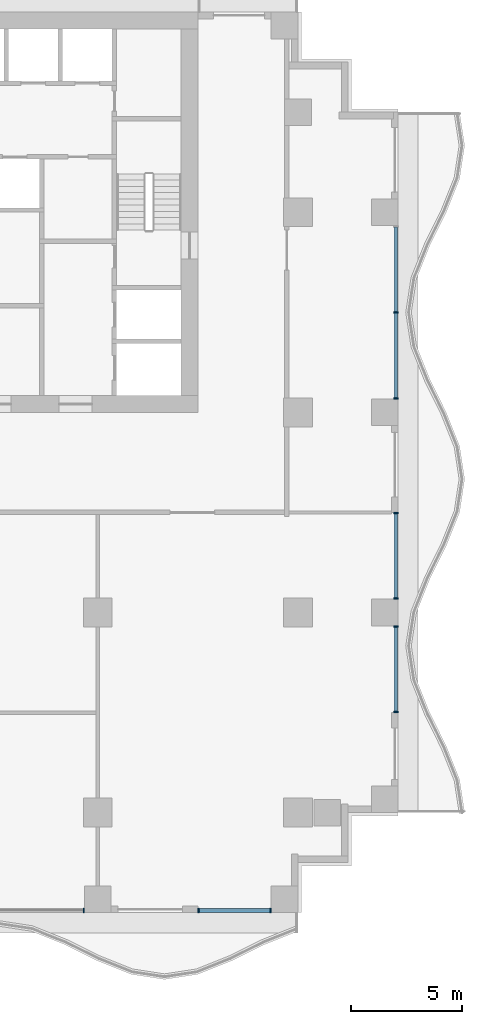
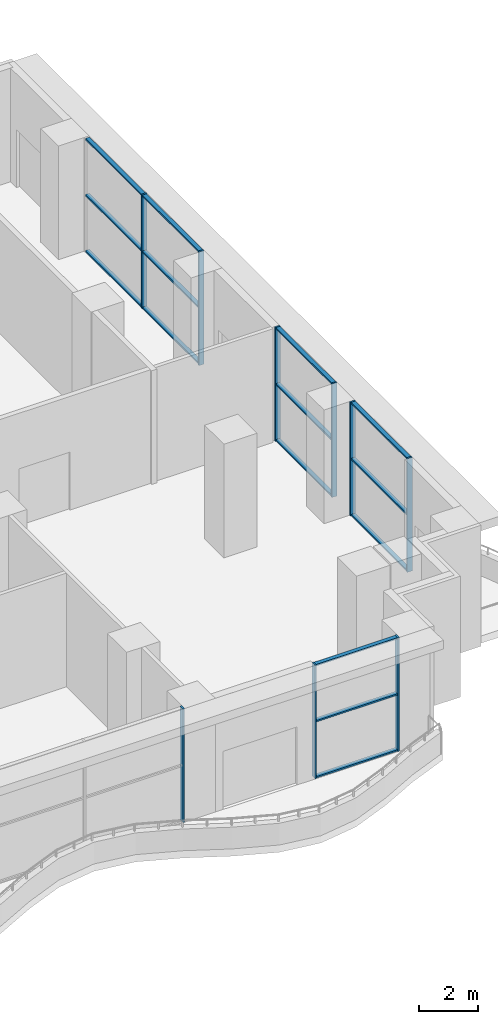
# One storey, part 4 of 14: 24 members, 5 elements without a shape of their own.
"""IFC4 building model written with IfcOpenShell, lengths in metres."""

from ifc_helpers import new_model, si_unit, direction, frame, origin, origin_2d, place, context, subcontext, project, spatial, rectangle, extrude, material, material_profile, profile_set, type_object, element, aggregate, save


model = new_model("IFC4")

# Units and contexts
model_context = context("Model", 3, precision=1e-05, world=origin(), true_north=direction((0.0, 1.0)))
body_context = subcontext(model_context, "Body", "Model", "MODEL_VIEW")
ifc_project = project(units=[si_unit("LENGTHUNIT", "METRE"), si_unit("AREAUNIT", "SQUARE_METRE"), si_unit("VOLUMEUNIT", "CUBIC_METRE"), si_unit("PLANEANGLEUNIT", "RADIAN"), si_unit("MASSUNIT", "GRAM", prefix="KILO")], contexts=[model_context])

# Site, building, storey
site_placement = place(None, origin())
site = spatial("IfcSite", under=ifc_project, at=site_placement, CompositionType="ELEMENT")
building_placement = place(site_placement, origin())
building = spatial("IfcBuilding", under=site, at=building_placement, Name="Orbiselva Terraces", CompositionType="ELEMENT")
storey_placement = place(building_placement, frame((0.0, 0.0, 120.0)))
storey = spatial("IfcBuildingStorey", under=building, at=storey_placement, Name="L30", CompositionType="ELEMENT", Elevation=120.0)

# Curtain wall, member
ifc_material_1 = material(Name="Clear low-e glazing in aluminium frame", Category="aluminium")
curtain_wall_type = type_object("IfcCurtainWallType", Name="ENV-CW-SKY", PredefinedType="NOTDEFINED", material=ifc_material_1)
curtain_wall_1_placement = place(storey_placement, origin())
curtain_wall_1 = element("IfcCurtainWall", 1, at=curtain_wall_1_placement, inside=storey, type_object=curtain_wall_type, Name="Curtain wall L30 S", PredefinedType="NOTDEFINED")
ifc_material_2 = material(Name="Anodised aluminium", Category="aluminium")
ifc_material_profile_1 = material_profile(ifc_material_2, rectangle(XDim=0.2, YDim=0.065, at=origin_2d()), Name="AL 65x200")
ifc_profile_set_1 = profile_set([ifc_material_profile_1], Name="Anodised aluminium")
member_type_1 = type_object("IfcMemberType", Name="ENV-CW-SKY-MULLION-65x200", PredefinedType="MULLION", material=ifc_profile_set_1)
member_1_placement = place(storey_placement, frame((8.3675, -17.9, 0.0), z_axis=(0.0, 0.0, 1.0), x_axis=(0.0, 1.0, 0.0)))
member_1 = element("IfcMember", 2, at=member_1_placement, type_object=member_type_1, Name="CW3 mullion 3", PredefinedType="MULLION", context=body_context, shape_type="SweptSolid", body=[
    extrude(rectangle(XDim=0.2, YDim=0.065, at=origin_2d()), origin(), (0.0, 0.0, 1.0), 4.7),
])
aggregate(curtain_wall_1, [member_1])

# Curtain wall, members
curtain_wall_2_placement = place(storey_placement, origin())
curtain_wall_2 = element("IfcCurtainWall", 3, at=curtain_wall_2_placement, inside=storey, type_object=curtain_wall_type, Name="Curtain wall L30 S", PredefinedType="NOTDEFINED")
member_2_placement = place(storey_placement, frame((13.5325, -17.9, 0.0), z_axis=(0.0, 0.0, 1.0), x_axis=(0.0, 1.0, 0.0)))
member_2 = element("IfcMember", 4, at=member_2_placement, type_object=member_type_1, Name="CW3 mullion 1", PredefinedType="MULLION", context=body_context, shape_type="SweptSolid", body=[
    extrude(rectangle(XDim=0.2, YDim=0.065, at=origin_2d()), origin(), (0.0, 0.0, 1.0), 4.7),
])
member_3_placement = place(storey_placement, frame((16.7675, -17.9, 0.0), z_axis=(0.0, 0.0, 1.0), x_axis=(0.0, 1.0, 0.0)))
member_3 = element("IfcMember", 5, at=member_3_placement, type_object=member_type_1, Name="CW3 mullion 2", PredefinedType="MULLION", context=body_context, shape_type="SweptSolid", body=[
    extrude(rectangle(XDim=0.2, YDim=0.065, at=origin_2d()), origin(), (0.0, 0.0, 1.0), 4.7),
])

curtain_wall_3_placement = place(storey_placement, origin())
curtain_wall_3 = element("IfcCurtainWall", 6, at=curtain_wall_3_placement, inside=storey, type_object=curtain_wall_type, Name="Curtain wall L30 E", PredefinedType="NOTDEFINED")
member_4_placement = place(storey_placement, frame((22.4, -8.9675, 0.0), z_axis=(0.0, 0.0, 1.0), x_axis=(-1.0, 0.0, 0.0)))
member_4 = element("IfcMember", 7, at=member_4_placement, type_object=member_type_1, Name="CW3 mullion 1", PredefinedType="MULLION", context=body_context, shape_type="SweptSolid", body=[
    extrude(rectangle(XDim=0.2, YDim=0.065, at=origin_2d()), origin(), (0.0, 0.0, 1.0), 4.7),
])
member_5_placement = place(storey_placement, frame((22.4, -5.1325, 0.0), z_axis=(0.0, 0.0, 1.0), x_axis=(-1.0, 0.0, 0.0)))
member_5 = element("IfcMember", 8, at=member_5_placement, type_object=member_type_1, Name="CW3 mullion 2", PredefinedType="MULLION", context=body_context, shape_type="SweptSolid", body=[
    extrude(rectangle(XDim=0.2, YDim=0.065, at=origin_2d()), origin(), (0.0, 0.0, 1.0), 4.7),
])

curtain_wall_4_placement = place(storey_placement, origin())
curtain_wall_4 = element("IfcCurtainWall", 9, at=curtain_wall_4_placement, inside=storey, type_object=curtain_wall_type, Name="Curtain wall L30 E", PredefinedType="NOTDEFINED")
member_6_placement = place(storey_placement, frame((22.4, -3.8675, 0.0), z_axis=(0.0, 0.0, 1.0), x_axis=(-1.0, 0.0, 0.0)))
member_6 = element("IfcMember", 10, at=member_6_placement, type_object=member_type_1, Name="CW3 mullion 1", PredefinedType="MULLION", context=body_context, shape_type="SweptSolid", body=[
    extrude(rectangle(XDim=0.2, YDim=0.065, at=origin_2d()), origin(), (0.0, 0.0, 1.0), 4.7),
])
member_7_placement = place(storey_placement, frame((22.4, -0.0325, 0.0), z_axis=(0.0, 0.0, 1.0), x_axis=(-1.0, 0.0, 0.0)))
member_7 = element("IfcMember", 11, at=member_7_placement, type_object=member_type_1, Name="CW3 mullion 2", PredefinedType="MULLION", context=body_context, shape_type="SweptSolid", body=[
    extrude(rectangle(XDim=0.2, YDim=0.065, at=origin_2d()), origin(), (0.0, 0.0, 1.0), 4.7),
])

curtain_wall_5_placement = place(storey_placement, origin())
curtain_wall_5 = element("IfcCurtainWall", 12, at=curtain_wall_5_placement, inside=storey, type_object=curtain_wall_type, Name="Curtain wall L30 E", PredefinedType="NOTDEFINED")
member_8_placement = place(storey_placement, frame((22.4, 5.1325, 0.0), z_axis=(0.0, 0.0, 1.0), x_axis=(-1.0, 0.0, 0.0)))
member_8 = element("IfcMember", 13, at=member_8_placement, type_object=member_type_1, Name="CW3 mullion 1", PredefinedType="MULLION", context=body_context, shape_type="SweptSolid", body=[
    extrude(rectangle(XDim=0.2, YDim=0.065, at=origin_2d()), origin(), (0.0, 0.0, 1.0), 4.7),
])
member_9_placement = place(storey_placement, frame((22.4, 9.0, 0.0), z_axis=(0.0, 0.0, 1.0), x_axis=(-1.0, 0.0, 0.0)))
member_9 = element("IfcMember", 14, at=member_9_placement, type_object=member_type_1, Name="CW3 mullion 2", PredefinedType="MULLION", context=body_context, shape_type="SweptSolid", body=[
    extrude(rectangle(XDim=0.2, YDim=0.065, at=origin_2d()), origin(), (0.0, 0.0, 1.0), 4.7),
])

# Member
ifc_material_profile_2 = material_profile(ifc_material_2, rectangle(XDim=0.16, YDim=0.065, at=origin_2d()), Name="AL 65x160")
ifc_profile_set_2 = profile_set([ifc_material_profile_2], Name="Anodised aluminium")
member_type_2 = type_object("IfcMemberType", Name="ENV-CW-SKY-TRANSOM-65x160", PredefinedType="USERDEFINED", material=ifc_profile_set_2)
member_10_placement = place(storey_placement, frame((13.565, -17.9, 0.0325), z_axis=(1.0, 0.0, 0.0), x_axis=(0.0, 1.0, 0.0)))
member_10 = element("IfcMember", 15, at=member_10_placement, type_object=member_type_2, Name="CW3 transom 1.1", ObjectType="TRANSOM", PredefinedType="USERDEFINED", context=body_context, shape_type="SweptSolid", body=[
    extrude(rectangle(XDim=0.16, YDim=0.065, at=origin_2d()), origin(), (0.0, 0.0, 1.0), 3.17),
])

member_11_placement = place(storey_placement, frame((13.565, -17.9, 2.35), z_axis=(1.0, 0.0, 0.0), x_axis=(0.0, 1.0, 0.0)))
member_11 = element("IfcMember", 16, at=member_11_placement, type_object=member_type_2, Name="CW3 transom 1.2", ObjectType="TRANSOM", PredefinedType="USERDEFINED", context=body_context, shape_type="SweptSolid", body=[
    extrude(rectangle(XDim=0.16, YDim=0.065, at=origin_2d()), origin(), (0.0, 0.0, 1.0), 3.17),
])

member_12_placement = place(storey_placement, frame((13.565, -17.9, 4.6675), z_axis=(1.0, 0.0, 0.0), x_axis=(0.0, 1.0, 0.0)))
member_12 = element("IfcMember", 17, at=member_12_placement, type_object=member_type_2, Name="CW3 transom 1.3", ObjectType="TRANSOM", PredefinedType="USERDEFINED", context=body_context, shape_type="SweptSolid", body=[
    extrude(rectangle(XDim=0.16, YDim=0.065, at=origin_2d()), origin(), (0.0, 0.0, 1.0), 3.17),
])

aggregate(curtain_wall_2, [member_2, member_3, member_10, member_11, member_12])

member_13_placement = place(storey_placement, frame((22.4, -8.935, 0.0325), z_axis=(0.0, 1.0, 0.0), x_axis=(-1.0, 0.0, 0.0)))
member_13 = element("IfcMember", 18, at=member_13_placement, type_object=member_type_2, Name="CW3 transom 1.1", ObjectType="TRANSOM", PredefinedType="USERDEFINED", context=body_context, shape_type="SweptSolid", body=[
    extrude(rectangle(XDim=0.16, YDim=0.065, at=origin_2d()), origin(), (0.0, 0.0, 1.0), 3.77),
])

member_14_placement = place(storey_placement, frame((22.4, -8.935, 2.35), z_axis=(0.0, 1.0, 0.0), x_axis=(-1.0, 0.0, 0.0)))
member_14 = element("IfcMember", 19, at=member_14_placement, type_object=member_type_2, Name="CW3 transom 1.2", ObjectType="TRANSOM", PredefinedType="USERDEFINED", context=body_context, shape_type="SweptSolid", body=[
    extrude(rectangle(XDim=0.16, YDim=0.065, at=origin_2d()), origin(), (0.0, 0.0, 1.0), 3.77),
])

member_15_placement = place(storey_placement, frame((22.4, -8.935, 4.6675), z_axis=(0.0, 1.0, 0.0), x_axis=(-1.0, 0.0, 0.0)))
member_15 = element("IfcMember", 20, at=member_15_placement, type_object=member_type_2, Name="CW3 transom 1.3", ObjectType="TRANSOM", PredefinedType="USERDEFINED", context=body_context, shape_type="SweptSolid", body=[
    extrude(rectangle(XDim=0.16, YDim=0.065, at=origin_2d()), origin(), (0.0, 0.0, 1.0), 3.77),
])

aggregate(curtain_wall_3, [member_4, member_5, member_13, member_14, member_15])

member_16_placement = place(storey_placement, frame((22.4, -3.835, 0.0325), z_axis=(0.0, 1.0, 0.0), x_axis=(-1.0, 0.0, 0.0)))
member_16 = element("IfcMember", 21, at=member_16_placement, type_object=member_type_2, Name="CW3 transom 1.1", ObjectType="TRANSOM", PredefinedType="USERDEFINED", context=body_context, shape_type="SweptSolid", body=[
    extrude(rectangle(XDim=0.16, YDim=0.065, at=origin_2d()), origin(), (0.0, 0.0, 1.0), 3.77),
])

member_17_placement = place(storey_placement, frame((22.4, -3.835, 2.35), z_axis=(0.0, 1.0, 0.0), x_axis=(-1.0, 0.0, 0.0)))
member_17 = element("IfcMember", 22, at=member_17_placement, type_object=member_type_2, Name="CW3 transom 1.2", ObjectType="TRANSOM", PredefinedType="USERDEFINED", context=body_context, shape_type="SweptSolid", body=[
    extrude(rectangle(XDim=0.16, YDim=0.065, at=origin_2d()), origin(), (0.0, 0.0, 1.0), 3.77),
])

member_18_placement = place(storey_placement, frame((22.4, -3.835, 4.6675), z_axis=(0.0, 1.0, 0.0), x_axis=(-1.0, 0.0, 0.0)))
member_18 = element("IfcMember", 23, at=member_18_placement, type_object=member_type_2, Name="CW3 transom 1.3", ObjectType="TRANSOM", PredefinedType="USERDEFINED", context=body_context, shape_type="SweptSolid", body=[
    extrude(rectangle(XDim=0.16, YDim=0.065, at=origin_2d()), origin(), (0.0, 0.0, 1.0), 3.77),
])

aggregate(curtain_wall_4, [member_6, member_7, member_16, member_17, member_18])

member_19_placement = place(storey_placement, frame((22.4, 5.165, 0.0325), z_axis=(0.0, 1.0, 0.0), x_axis=(-1.0, 0.0, 0.0)))
member_19 = element("IfcMember", 24, at=member_19_placement, type_object=member_type_2, Name="CW3 transom 1.1", ObjectType="TRANSOM", PredefinedType="USERDEFINED", context=body_context, shape_type="SweptSolid", body=[
    extrude(rectangle(XDim=0.16, YDim=0.065, at=origin_2d()), origin(), (0.0, 0.0, 1.0), 3.8025),
])

member_20_placement = place(storey_placement, frame((22.4, 5.165, 2.35), z_axis=(0.0, 1.0, 0.0), x_axis=(-1.0, 0.0, 0.0)))
member_20 = element("IfcMember", 25, at=member_20_placement, type_object=member_type_2, Name="CW3 transom 1.2", ObjectType="TRANSOM", PredefinedType="USERDEFINED", context=body_context, shape_type="SweptSolid", body=[
    extrude(rectangle(XDim=0.16, YDim=0.065, at=origin_2d()), origin(), (0.0, 0.0, 1.0), 3.8025),
])

member_21_placement = place(storey_placement, frame((22.4, 5.165, 4.6675), z_axis=(0.0, 1.0, 0.0), x_axis=(-1.0, 0.0, 0.0)))
member_21 = element("IfcMember", 26, at=member_21_placement, type_object=member_type_2, Name="CW3 transom 1.3", ObjectType="TRANSOM", PredefinedType="USERDEFINED", context=body_context, shape_type="SweptSolid", body=[
    extrude(rectangle(XDim=0.16, YDim=0.065, at=origin_2d()), origin(), (0.0, 0.0, 1.0), 3.8025),
])

member_22_placement = place(storey_placement, frame((22.4, 9.0325, 0.0325), z_axis=(0.0, 1.0, 0.0), x_axis=(-1.0, 0.0, 0.0)))
member_22 = element("IfcMember", 27, at=member_22_placement, type_object=member_type_2, Name="CW3 transom 2.1", ObjectType="TRANSOM", PredefinedType="USERDEFINED", context=body_context, shape_type="SweptSolid", body=[
    extrude(rectangle(XDim=0.16, YDim=0.065, at=origin_2d()), origin(), (0.0, 0.0, 1.0), 3.8025),
])

member_23_placement = place(storey_placement, frame((22.4, 9.0325, 2.35), z_axis=(0.0, 1.0, 0.0), x_axis=(-1.0, 0.0, 0.0)))
member_23 = element("IfcMember", 28, at=member_23_placement, type_object=member_type_2, Name="CW3 transom 2.2", ObjectType="TRANSOM", PredefinedType="USERDEFINED", context=body_context, shape_type="SweptSolid", body=[
    extrude(rectangle(XDim=0.16, YDim=0.065, at=origin_2d()), origin(), (0.0, 0.0, 1.0), 3.8025),
])

member_24_placement = place(storey_placement, frame((22.4, 9.0325, 4.6675), z_axis=(0.0, 1.0, 0.0), x_axis=(-1.0, 0.0, 0.0)))
member_24 = element("IfcMember", 29, at=member_24_placement, type_object=member_type_2, Name="CW3 transom 2.3", ObjectType="TRANSOM", PredefinedType="USERDEFINED", context=body_context, shape_type="SweptSolid", body=[
    extrude(rectangle(XDim=0.16, YDim=0.065, at=origin_2d()), origin(), (0.0, 0.0, 1.0), 3.8025),
])

aggregate(curtain_wall_5, [member_8, member_9, member_19, member_20, member_21, member_22, member_23, member_24])

save(model, "model.ifc")
